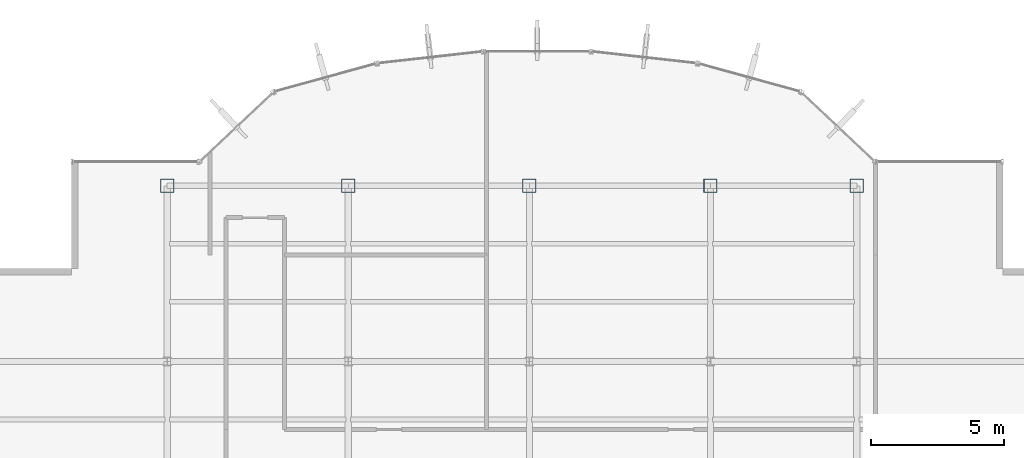
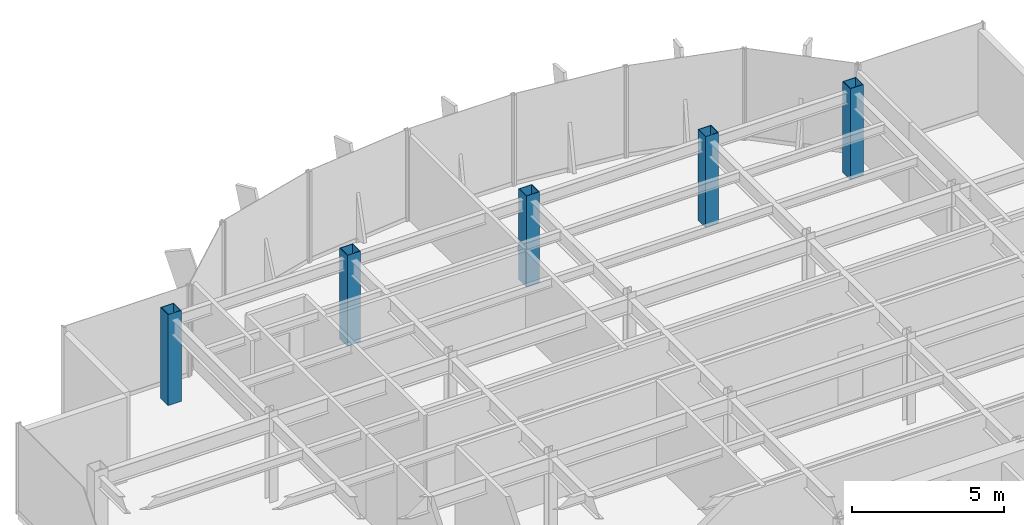
# One storey, part 2 of 21: 5 columns.
"""IFC4 building model written with IfcOpenShell, lengths in metres."""

import ifcopenshell
import ifcopenshell.guid

model = None  # the IFC model being written
_history = None  # IfcOwnerHistory: only IFC2X3 demands one
_inside = {}  # id of a spatial element -> (the spatial element, [elements in it])
_under = {}  # id of a project, library or spatial element -> (it, [spatial elements below it])
_declared = {}  # id of a project -> (the project, [libraries it declares])
_typed = {}  # id of a type object -> (the type object, [elements of that type])
_made_of = {}  # id of a material, layer set ... -> (it, [elements and type objects made of it])


def new_model(schema):
    """Start an empty IFC model of exactly this schema.

    Asked for "IFC4X3", IfcOpenShell would pick the latest addendum, in which some entities
    have other attributes; the version numbers below select the first issue.
    IFC2X3 requires an IfcOwnerHistory on every rooted entity: one is made here for all.
    """
    global model, _history
    if schema == "IFC4X3":
        model = ifcopenshell.file(schema_version=(4, 3, 0, 0))
    else:
        model = ifcopenshell.file(schema=schema)
    _inside.clear()
    _under.clear()
    _declared.clear()
    _typed.clear()
    _made_of.clear()
    _history = None
    if model.schema == "IFC2X3":
        org = make("IfcOrganization", Name="unknown")
        user = make(
            "IfcPersonAndOrganization",
            ThePerson=make("IfcPerson", FamilyName="unknown"),
            TheOrganization=org,
        )
        app = make(
            "IfcApplication",
            ApplicationDeveloper=org,
            Version="unknown",
            ApplicationFullName="unknown",
            ApplicationIdentifier="unknown",
        )
        _history = make(
            "IfcOwnerHistory",
            OwningUser=user,
            OwningApplication=app,
            ChangeAction="ADDED",
            CreationDate=0,
        )
    return model


def make(cls, **values):
    """One entity of the class cls with the attributes given. An attribute that is None is left unset."""
    return model.create_entity(
        cls, **{name: value for name, value in values.items() if value is not None}
    )


def rooted(cls, **values):
    """An entity with a GlobalId (a new one), such as an element, a storey or a relation."""
    return make(cls, GlobalId=ifcopenshell.guid.new(), OwnerHistory=_history, **values)


def si_unit(unit_type, name, prefix=None):
    """IfcSIUnit, for example si_unit("LENGTHUNIT", "METRE", prefix="MILLI")."""
    return make("IfcSIUnit", UnitType=unit_type, Prefix=prefix, Name=name)


def derived_unit(unit_type, elements):
    """IfcDerivedUnit: a product of units, each with its exponent."""
    return make(
        "IfcDerivedUnit",
        Elements=[
            make("IfcDerivedUnitElement", Unit=unit, Exponent=power)
            for unit, power in elements
        ],
        UnitType=unit_type,
    )


def assignment(units):
    """IfcUnitAssignment: the units of a project."""
    return None if units is None else make("IfcUnitAssignment", Units=units)


def point(xyz):
    """IfcCartesianPoint."""
    return None if xyz is None else make("IfcCartesianPoint", Coordinates=xyz)


def direction(xyz):
    """IfcDirection."""
    return None if xyz is None else make("IfcDirection", DirectionRatios=xyz)


def frame(location, z_axis=None, x_axis=None):
    """IfcAxis2Placement3D, a coordinate frame: its origin and axes. An axis left out is left unset."""
    return make(
        "IfcAxis2Placement3D",
        Location=point(location),
        Axis=direction(z_axis),
        RefDirection=direction(x_axis),
    )


def frame_2d(location, x_axis=None):
    """IfcAxis2Placement2D, a coordinate frame in the plane: its origin and x axis."""
    return make(
        "IfcAxis2Placement2D", Location=point(location), RefDirection=direction(x_axis)
    )


def origin():
    """The frame at (0, 0, 0) with its axes left unset."""
    return frame((0.0, 0.0, 0.0))


def origin_2d():
    """The frame at (0, 0) in the plane with its x axis left unset."""
    return frame_2d((0.0, 0.0))


def place(relative_to, where):
    """IfcLocalPlacement: puts the frame where relative to a parent placement (None: the world)."""
    return make(
        "IfcLocalPlacement", PlacementRelTo=relative_to, RelativePlacement=where
    )


def context(
    kind, dimensions, precision=None, world=None, true_north=None, identifier=None
):
    """IfcGeometricRepresentationContext, for example the 3D "Model" context."""
    return make(
        "IfcGeometricRepresentationContext",
        ContextIdentifier=identifier,
        ContextType=kind,
        CoordinateSpaceDimension=dimensions,
        Precision=precision,
        WorldCoordinateSystem=world,
        TrueNorth=true_north,
    )


def subcontext(parent, identifier, kind, view, scale=None):
    """IfcGeometricRepresentationSubContext, for example "Body" below "Model"."""
    return make(
        "IfcGeometricRepresentationSubContext",
        ContextIdentifier=identifier,
        ContextType=kind,
        ParentContext=parent,
        TargetScale=scale,
        TargetView=view,
    )


def project(units=None, contexts=None):
    """IfcProject with its units and contexts."""
    return rooted(
        "IfcProject",
        Name="project",
        RepresentationContexts=contexts,
        UnitsInContext=assignment(units),
    )


def spatial(cls, under=None, at=None, **own):
    """A site, building, storey or space (cls), placed at a placement, below another one or the project."""
    s = rooted(cls, ObjectPlacement=at, **own)
    if under is not None:
        _under.setdefault(under.id(), (under, []))[1].append(s)
    return s


def profile(cls, at=None, kind="AREA", **sizes):
    """A parametric profile (cls). Its sizes go by their IFC names, for example OverallWidth=200.0."""
    return make(cls, ProfileType=kind, Position=at, **sizes)


def hollow_rectangle(**sizes):
    """IfcRectangleHollowProfileDef."""
    return profile("IfcRectangleHollowProfileDef", **sizes)


def extrude(swept, where, along, depth):
    """IfcExtrudedAreaSolid: the profile swept, set in the frame where, extruded along a direction by depth."""
    return make(
        "IfcExtrudedAreaSolid",
        SweptArea=swept,
        Position=where,
        ExtrudedDirection=direction(along),
        Depth=depth,
    )


def shape(context_of_items, identifier, shape_type, items):
    """IfcShapeRepresentation: the items that make up one representation, for example the "Body"."""
    return make(
        "IfcShapeRepresentation",
        ContextOfItems=context_of_items,
        RepresentationIdentifier=identifier,
        RepresentationType=shape_type,
        Items=items,
    )


def source(mapping_origin, context_of_items, identifier, shape_type, items):
    """IfcRepresentationMap: a shape defined once, which mapped items show again and again."""
    return make(
        "IfcRepresentationMap",
        MappingOrigin=mapping_origin,
        MappedRepresentation=shape(context_of_items, identifier, shape_type, items),
    )


def transform(
    local_origin,
    x_axis=None,
    y_axis=None,
    z_axis=None,
    scale=None,
    scale2=None,
    scale3=None,
    uniform=True,
):
    """IfcCartesianTransformationOperator3D, or its non-uniform kind. x_axis, y_axis, z_axis: its Axis1, 2, 3."""
    if uniform:
        return make(
            "IfcCartesianTransformationOperator3D",
            Axis1=direction(x_axis),
            Axis2=direction(y_axis),
            LocalOrigin=point(local_origin),
            Scale=scale,
            Axis3=direction(z_axis),
        )
    return make(
        "IfcCartesianTransformationOperator3DnonUniform",
        Axis1=direction(x_axis),
        Axis2=direction(y_axis),
        LocalOrigin=point(local_origin),
        Scale=scale,
        Axis3=direction(z_axis),
        Scale2=scale2,
        Scale3=scale3,
    )


def mapped(mapping_source, mapping_target):
    """IfcMappedItem: shows the shape of a source again, moved by a transform."""
    return make(
        "IfcMappedItem", MappingSource=mapping_source, MappingTarget=mapping_target
    )


def material(Name=None, Category=None):
    """IfcMaterial."""
    return make("IfcMaterial", Name=Name, Category=Category)


def material_profile(
    of_material, cross_section, Name=None, Category=None, Priority=None
):
    """IfcMaterialProfile: a cross section and its material."""
    return make(
        "IfcMaterialProfile",
        Name=Name,
        Material=of_material,
        Profile=cross_section,
        Priority=Priority,
        Category=Category,
    )


def profile_set(profiles, Name=None, composite=None):
    """IfcMaterialProfileSet."""
    return make(
        "IfcMaterialProfileSet",
        Name=Name,
        MaterialProfiles=profiles,
        CompositeProfile=composite,
    )


def made_of(thing, what):
    """Note that an element or type object is made of a material, layer set ...; save() writes the relation."""
    if what is not None:
        _made_of.setdefault(what.id(), (what, []))[1].append(thing)
    return thing


def type_object(cls, material=None, **own):
    """A type object (cls), such as IfcWallType, which elements share."""
    return made_of(rooted(cls, **own), material)


def element(
    cls,
    number,
    at=None,
    inside=None,
    cuts=None,
    type_object=None,
    material=None,
    context=None,
    identifier="Body",
    shape_type=None,
    held_by="IfcProductDefinitionShape",
    body=None,
    shapes=None,
    **own,
):
    """One element of the class cls, such as IfcWall. Its Tag is "e" and its number.

    at: its placement. inside: the storey or other place that contains it. cuts: it is an
    opening in that element (IfcRelVoidsElement). A single representation is given by context,
    identifier, shape_type and body (its items); several are given by shapes. held_by: the class
    of the entity that holds the representations. save() writes the other relations.
    """
    e = rooted(cls, Tag="e%d" % number, ObjectPlacement=at, **own)
    if body is not None:
        shapes = [shape(context, identifier, shape_type, body)]
    if shapes is not None:
        e.Representation = make(held_by, Representations=shapes)
    if inside is not None:
        _inside.setdefault(inside.id(), (inside, []))[1].append(e)
    if cuts is not None:
        rooted(
            "IfcRelVoidsElement", RelatingBuildingElement=cuts, RelatedOpeningElement=e
        )
    if type_object is not None:
        _typed.setdefault(type_object.id(), (type_object, []))[1].append(e)
    return made_of(e, material)


def aggregate(whole, parts):
    """IfcRelAggregates: a whole, such as a stair, and the parts it consists of."""
    return rooted("IfcRelAggregates", RelatingObject=whole, RelatedObjects=parts)


def save(model, path):
    """Write the relations noted so far, then the file.

    IfcRelAggregates (storeys below a building ...), IfcRelContainedInSpatialStructure (elements
    in a storey), IfcRelDefinesByType, IfcRelAssociatesMaterial and IfcRelDeclares: one each for
    every whole, place, type object, material and project.
    """
    for whole, parts in _under.values():
        aggregate(whole, parts)
    for where, things in _inside.values():
        rooted(
            "IfcRelContainedInSpatialStructure",
            RelatedElements=things,
            RelatingStructure=where,
        )
    for kind, things in _typed.values():
        rooted("IfcRelDefinesByType", RelatedObjects=things, RelatingType=kind)
    for what, things in _made_of.values():
        rooted("IfcRelAssociatesMaterial", RelatedObjects=things, RelatingMaterial=what)
    for by, libraries in _declared.values():
        rooted("IfcRelDeclares", RelatingContext=by, RelatedDefinitions=libraries)
    model.write(path)


model = new_model("IFC4")

# Units and contexts
model_context = context("Model", 3, precision=1e-05, world=origin(), true_north=direction((0.0, 1.0)))
body_context = subcontext(model_context, "Body", "Model", "MODEL_VIEW")
ifc_project = project(units=[si_unit("LENGTHUNIT", "METRE"), si_unit("AREAUNIT", "SQUARE_METRE"), si_unit("VOLUMEUNIT", "CUBIC_METRE"), si_unit("PLANEANGLEUNIT", "RADIAN"), si_unit("MASSUNIT", "GRAM", prefix="KILO"), derived_unit("THERMALTRANSMITTANCEUNIT", [(si_unit("POWERUNIT", "WATT"), 1), (si_unit("LENGTHUNIT", "METRE"), -2), (si_unit("THERMODYNAMICTEMPERATUREUNIT", "KELVIN"), -1)])], contexts=[model_context])

# Site, building, storey
site_placement = place(None, origin())
site = spatial("IfcSite", under=ifc_project, at=site_placement, CompositionType="ELEMENT")
building_placement = place(site_placement, origin())
building = spatial("IfcBuilding", under=site, at=building_placement, Name="Skarnbrae Concourse Arena and Tower", CompositionType="ELEMENT")
storey_placement = place(building_placement, frame((0.0, 0.0, 188.60009765625)))
storey = spatial("IfcBuildingStorey", under=building, at=storey_placement, Name="L48", CompositionType="ELEMENT", Elevation=188.60009765625)

# Columns
ifc_material = material(Name="Steel CSA G40.21 350W", Category="steel")
ifc_material_profile = material_profile(ifc_material, hollow_rectangle(XDim=0.5, YDim=0.5, WallThickness=0.02197265625, at=origin_2d()), Name="HSS500X500X22.0")
ifc_profile_set = profile_set([ifc_material_profile], Name="Steel CSA G40.21 350W")
column_type = type_object("IfcColumnType", Name="COL-TUBE-HSS500", PredefinedType="COLUMN", material=ifc_profile_set)
shared_shape = source(origin(), body_context, "Body", "SweptSolid", [
    extrude(hollow_rectangle(XDim=0.5, YDim=0.5, WallThickness=0.02197265625, at=origin_2d()), origin(), (0.0, 0.0, 1.0), 3.64990234375),
])
for number, where, z_axis, x_axis, name in (
    (1, (7.60009765625, 34.39990234375, 0.0), (0.0, 0.0, 1.0), (1.0, 0.0, 0.0), "L48 Tower column PC_02_05"),
    (2, (14.39990234375, 34.39990234375, 0.0), (0.0, 0.0, 1.0), (1.0, 0.0, 0.0), "L48 Tower column PC_03_05"),
    (3, (21.199951171875, 34.39990234375, 0.0), (0.0, 0.0, 1.0), (1.0, 0.0, 0.0), "L48 Tower column PC_04_05"),
    (4, (28.0, 34.39990234375, 0.0), (0.0, 0.0, 1.0), (1.0, 0.0, 0.0), "L48 Tower column PC_05_05"),
    (5, (33.5, 34.39990234375, 0.0), (0.0, 0.0, 1.0), (1.0, 0.0, 0.0), "L48 Tower column PC_06_05"),
):
    element("IfcColumn", number, at=place(storey_placement, frame(where, z_axis=z_axis, x_axis=x_axis)), inside=storey, type_object=column_type, Name=name, PredefinedType="COLUMN", context=body_context, shape_type="MappedRepresentation", body=[
        mapped(shared_shape, transform((0.0, 0.0, 0.0))),
    ])

save(model, "model.ifc")
